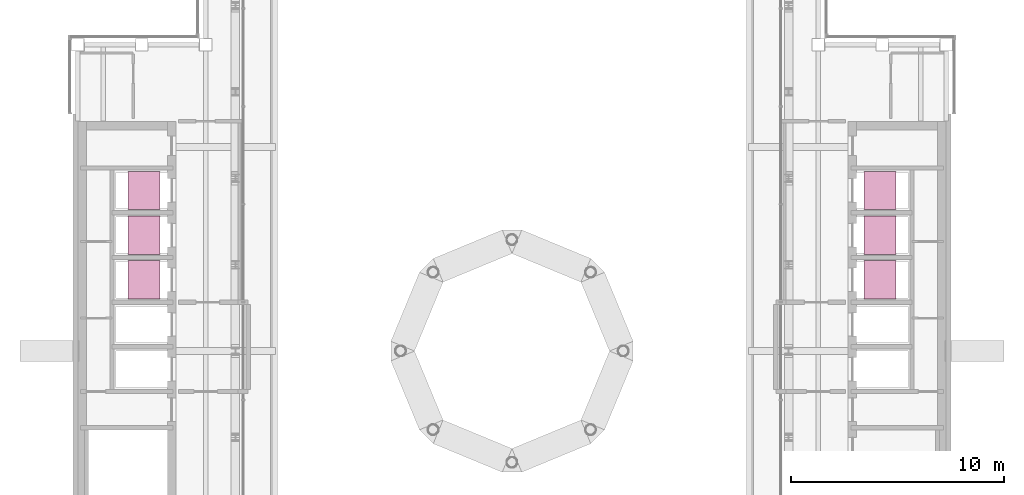
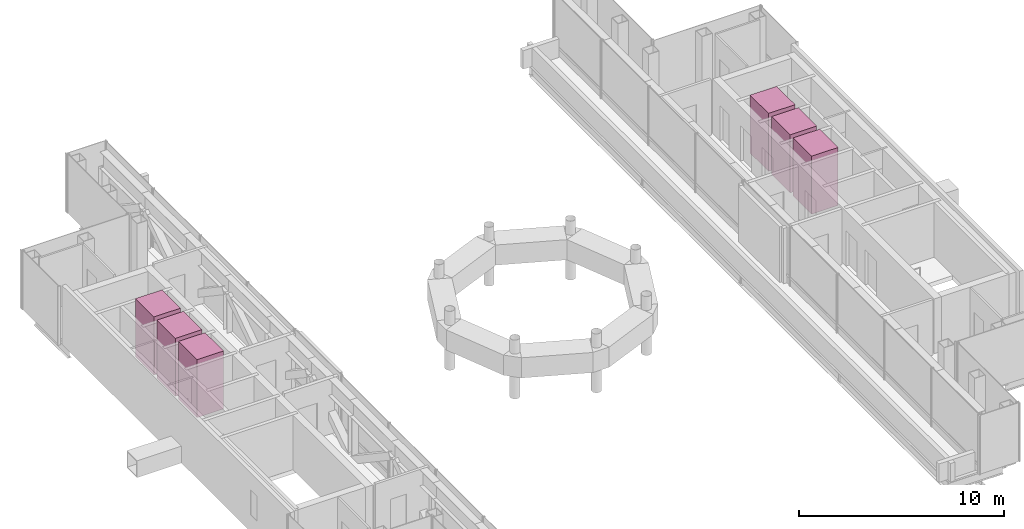
# One storey, part 16 of 16: 6 transport elements.
"""IFC4 building model written with IfcOpenShell, lengths in metres."""

from ifc_helpers import new_model, si_unit, direction, frame, origin, origin_2d, place, context, subcontext, project, spatial, rectangle, extrude, material, type_object, element, save


model = new_model("IFC4")

# Units and contexts
model_context = context("Model", 3, precision=1e-05, world=origin(), true_north=direction((0.0, 1.0)))
body_context = subcontext(model_context, "Body", "Model", "MODEL_VIEW")
ifc_project = project(units=[si_unit("LENGTHUNIT", "METRE"), si_unit("AREAUNIT", "SQUARE_METRE"), si_unit("VOLUMEUNIT", "CUBIC_METRE"), si_unit("PLANEANGLEUNIT", "RADIAN"), si_unit("MASSUNIT", "GRAM", prefix="KILO")], contexts=[model_context])

# Site, building, storey
site_placement = place(None, origin())
site = spatial("IfcSite", under=ifc_project, at=site_placement, CompositionType="ELEMENT")
building_placement = place(site_placement, origin())
building = spatial("IfcBuilding", under=site, at=building_placement, Name="Cobrizo Arcos Hotel Tower", CompositionType="ELEMENT")
storey_placement = place(building_placement, frame((0.0, 0.0, 286.5)))
storey = spatial("IfcBuildingStorey", under=building, at=storey_placement, Name="L76", CompositionType="ELEMENT", Elevation=286.5)

# Transport elements
ifc_material = material(Name="Stainless steel car", Category="steel")
transport_element_type = type_object("IfcTransportElementType", Name="Lift car High 1.8x1.5", PredefinedType="ELEVATOR", material=ifc_material)
for number, where, z_axis, x_axis, name in (
    (1, (-17.300048828125, 3.35009765625, 0.0), (0.0, 0.0, 1.0), (1.0, 0.0, 0.0), "High-rise passenger lift W1"),
    (2, (-17.300048828125, 5.449951171875, 0.0), (0.0, 0.0, 1.0), (1.0, 0.0, 0.0), "High-rise passenger lift W2"),
    (3, (-17.300048828125, 7.550048828125, 0.0), (0.0, 0.0, 1.0), (1.0, 0.0, 0.0), "High-rise passenger lift W3"),
    (4, (17.300048828125, 3.35009765625, 0.0), (0.0, 0.0, 1.0), (1.0, 0.0, 0.0), "High-rise passenger lift E1"),
    (5, (17.300048828125, 5.449951171875, 0.0), (0.0, 0.0, 1.0), (1.0, 0.0, 0.0), "High-rise passenger lift E2"),
    (6, (17.300048828125, 7.550048828125, 0.0), (0.0, 0.0, 1.0), (1.0, 0.0, 0.0), "High-rise passenger lift E3"),
):
    element("IfcTransportElement", number, at=place(storey_placement, frame(where, z_axis=z_axis, x_axis=x_axis)), inside=storey, type_object=transport_element_type, Name=name, PredefinedType="ELEVATOR", context=body_context, shape_type="SweptSolid", body=[
        extrude(rectangle(XDim=1.5, YDim=1.800048828125, at=origin_2d()), origin(), (0.0, 0.0, 1.0), 3.449951171875),
    ])

save(model, "model.ifc")
